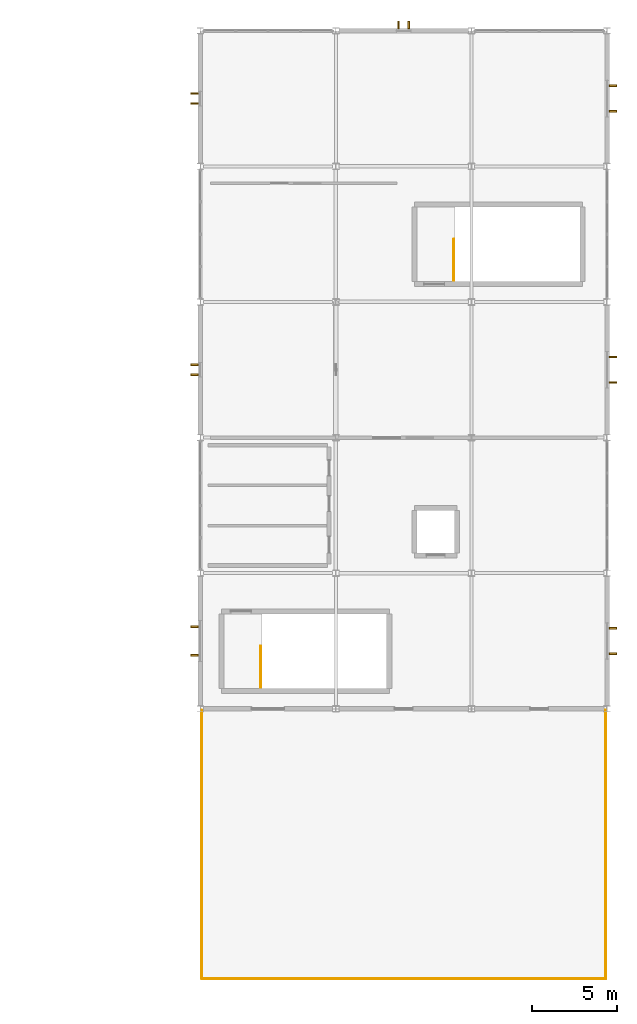
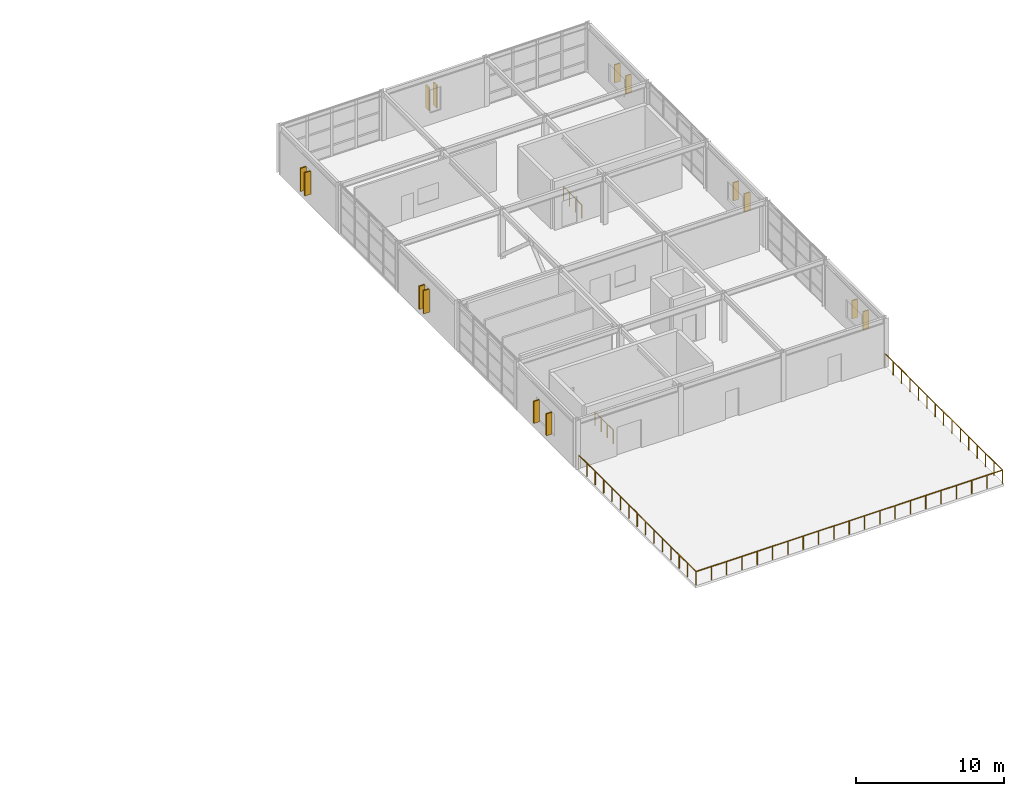
# One storey, part 34 of 34: 14 shading devices, 5 railings.
"""IFC4 building model written with IfcOpenShell, lengths in metres."""

from ifc_helpers import new_model, si_unit, direction, frame, origin, origin_2d, place, context, subcontext, project, spatial, rectangle, circle, extrude, material, type_object, element, save


model = new_model("IFC4")

# Units and contexts
model_context = context("Model", 3, precision=1e-05, world=origin(), true_north=direction((0.0, 1.0)))
body_context = subcontext(model_context, "Body", "Model", "MODEL_VIEW")
ifc_project = project(units=[si_unit("LENGTHUNIT", "METRE"), si_unit("AREAUNIT", "SQUARE_METRE"), si_unit("VOLUMEUNIT", "CUBIC_METRE"), si_unit("PLANEANGLEUNIT", "RADIAN"), si_unit("MASSUNIT", "GRAM", prefix="KILO")], contexts=[model_context])

# Site, building, storey
site_placement = place(None, origin())
site = spatial("IfcSite", under=ifc_project, at=site_placement, CompositionType="ELEMENT")
building_placement = place(site_placement, origin())
building = spatial("IfcBuilding", under=site, at=building_placement, Name="Varnela Railside Interchange", CompositionType="ELEMENT")
storey_placement = place(building_placement, frame((0.0, 0.0, 19.60009765625)))
storey = spatial("IfcBuildingStorey", under=building, at=storey_placement, Name="L04", CompositionType="ELEMENT", Elevation=19.60009765625)

# Railings
ifc_material_1 = material(Name="Steel AR 350 (350 MPa)", Category="steel")
railing_type_1 = type_object("IfcRailingType", Name="Perimeter Terrace Guardrail GR-01", PredefinedType="GUARDRAIL", material=ifc_material_1)
railing_1_placement = place(storey_placement, frame((116.080078125, 38.080078125, 0.0)))
element("IfcRailing", 1, at=railing_1_placement, inside=storey, type_object=railing_type_1, Name="East Study Pavilion Library Terrace Guardrail (W) (RL-0424)", PredefinedType="GUARDRAIL", context=body_context, shape_type="SweptSolid", body=[
    extrude(circle(Radius=0.02392578125, at=origin_2d()), frame((0.0, 0.0, 1.09619140625), z_axis=(0.0, 1.0, 0.0), x_axis=(-1.0, 0.0, 0.0)), (0.0, 0.0, 1.0), 15.83984375),
    extrude(circle(Radius=0.02099609375, at=origin_2d()), origin(), (0.0, 0.0, 1.0), 1.072021484375),
    extrude(circle(Radius=0.02099609375, at=origin_2d()), frame((0.0, 1.13134765625, 0.0)), (0.0, 0.0, 1.0), 1.072021484375),
    extrude(circle(Radius=0.02099609375, at=origin_2d()), frame((0.0, 2.262939453125, 0.0)), (0.0, 0.0, 1.0), 1.072021484375),
    extrude(circle(Radius=0.02099609375, at=origin_2d()), frame((0.0, 3.394287109375, 0.0)), (0.0, 0.0, 1.0), 1.072021484375),
    extrude(circle(Radius=0.02099609375, at=origin_2d()), frame((0.0, 4.525634765625, 0.0)), (0.0, 0.0, 1.0), 1.072021484375),
    extrude(circle(Radius=0.02099609375, at=origin_2d()), frame((0.0, 5.656982421875, 0.0)), (0.0, 0.0, 1.0), 1.072021484375),
    extrude(circle(Radius=0.02099609375, at=origin_2d()), frame((0.0, 6.78857421875, 0.0)), (0.0, 0.0, 1.0), 1.072021484375),
    extrude(circle(Radius=0.02099609375, at=origin_2d()), frame((0.0, 7.919921875, 0.0)), (0.0, 0.0, 1.0), 1.072021484375),
    extrude(circle(Radius=0.02099609375, at=origin_2d()), frame((0.0, 9.05126953125, 0.0)), (0.0, 0.0, 1.0), 1.072021484375),
    extrude(circle(Radius=0.02099609375, at=origin_2d()), frame((0.0, 10.182861328125, 0.0)), (0.0, 0.0, 1.0), 1.072021484375),
    extrude(circle(Radius=0.02099609375, at=origin_2d()), frame((0.0, 11.314208984375, 0.0)), (0.0, 0.0, 1.0), 1.072021484375),
    extrude(circle(Radius=0.02099609375, at=origin_2d()), frame((0.0, 12.445556640625, 0.0)), (0.0, 0.0, 1.0), 1.072021484375),
    extrude(circle(Radius=0.02099609375, at=origin_2d()), frame((0.0, 13.576904296875, 0.0)), (0.0, 0.0, 1.0), 1.072021484375),
    extrude(circle(Radius=0.02099609375, at=origin_2d()), frame((0.0, 14.70849609375, 0.0)), (0.0, 0.0, 1.0), 1.072021484375),
    extrude(circle(Radius=0.02099609375, at=origin_2d()), frame((0.0, 15.83984375, 0.0)), (0.0, 0.0, 1.0), 1.072021484375),
])
railing_2_placement = place(storey_placement, frame((116.080078125, 38.080078125, 0.0)))
element("IfcRailing", 2, at=railing_2_placement, inside=storey, type_object=railing_type_1, Name="East Study Pavilion Library Terrace Guardrail (S) (RL-0423)", PredefinedType="GUARDRAIL", context=body_context, shape_type="SweptSolid", body=[
    extrude(circle(Radius=0.02392578125, at=origin_2d()), frame((0.0, 0.0, 1.09619140625), z_axis=(1.0, 0.0, 0.0), x_axis=(0.0, 1.0, 0.0)), (0.0, 0.0, 1.0), 23.83984375),
    extrude(circle(Radius=0.02099609375, at=origin_2d()), origin(), (0.0, 0.0, 1.0), 1.072021484375),
    extrude(circle(Radius=0.02099609375, at=origin_2d()), frame((1.19189453125, 0.0, 0.0)), (0.0, 0.0, 1.0), 1.072021484375),
    extrude(circle(Radius=0.02099609375, at=origin_2d()), frame((2.384033203125, 0.0, 0.0)), (0.0, 0.0, 1.0), 1.072021484375),
    extrude(circle(Radius=0.02099609375, at=origin_2d()), frame((3.575927734375, 0.0, 0.0)), (0.0, 0.0, 1.0), 1.072021484375),
    extrude(circle(Radius=0.02099609375, at=origin_2d()), frame((4.76806640625, 0.0, 0.0)), (0.0, 0.0, 1.0), 1.072021484375),
    extrude(circle(Radius=0.02099609375, at=origin_2d()), frame((5.9599609375, 0.0, 0.0)), (0.0, 0.0, 1.0), 1.072021484375),
    extrude(circle(Radius=0.02099609375, at=origin_2d()), frame((7.15185546875, 0.0, 0.0)), (0.0, 0.0, 1.0), 1.072021484375),
    extrude(circle(Radius=0.02099609375, at=origin_2d()), frame((8.343994140625, 0.0, 0.0)), (0.0, 0.0, 1.0), 1.072021484375),
    extrude(circle(Radius=0.02099609375, at=origin_2d()), frame((9.535888671875, 0.0, 0.0)), (0.0, 0.0, 1.0), 1.072021484375),
    extrude(circle(Radius=0.02099609375, at=origin_2d()), frame((10.72802734375, 0.0, 0.0)), (0.0, 0.0, 1.0), 1.072021484375),
    extrude(circle(Radius=0.02099609375, at=origin_2d()), frame((11.919921875, 0.0, 0.0)), (0.0, 0.0, 1.0), 1.072021484375),
    extrude(circle(Radius=0.02099609375, at=origin_2d()), frame((13.11181640625, 0.0, 0.0)), (0.0, 0.0, 1.0), 1.072021484375),
    extrude(circle(Radius=0.02099609375, at=origin_2d()), frame((14.303955078125, 0.0, 0.0)), (0.0, 0.0, 1.0), 1.072021484375),
    extrude(circle(Radius=0.02099609375, at=origin_2d()), frame((15.495849609375, 0.0, 0.0)), (0.0, 0.0, 1.0), 1.072021484375),
    extrude(circle(Radius=0.02099609375, at=origin_2d()), frame((16.68798828125, 0.0, 0.0)), (0.0, 0.0, 1.0), 1.072021484375),
    extrude(circle(Radius=0.02099609375, at=origin_2d()), frame((17.8798828125, 0.0, 0.0)), (0.0, 0.0, 1.0), 1.072021484375),
    extrude(circle(Radius=0.02099609375, at=origin_2d()), frame((19.07177734375, 0.0, 0.0)), (0.0, 0.0, 1.0), 1.072021484375),
    extrude(circle(Radius=0.02099609375, at=origin_2d()), frame((20.263916015625, 0.0, 0.0)), (0.0, 0.0, 1.0), 1.072021484375),
    extrude(circle(Radius=0.02099609375, at=origin_2d()), frame((21.455810546875, 0.0, 0.0)), (0.0, 0.0, 1.0), 1.072021484375),
    extrude(circle(Radius=0.02099609375, at=origin_2d()), frame((22.64794921875, 0.0, 0.0)), (0.0, 0.0, 1.0), 1.072021484375),
    extrude(circle(Radius=0.02099609375, at=origin_2d()), frame((23.83984375, 0.0, 0.0)), (0.0, 0.0, 1.0), 1.072021484375),
])
railing_3_placement = place(storey_placement, frame((139.919921875, 38.080078125, 0.0)))
element("IfcRailing", 3, at=railing_3_placement, inside=storey, type_object=railing_type_1, Name="East Study Pavilion Library Terrace Guardrail (E) (RL-0422)", PredefinedType="GUARDRAIL", context=body_context, shape_type="SweptSolid", body=[
    extrude(circle(Radius=0.02392578125, at=origin_2d()), frame((0.0, 0.0, 1.09619140625), z_axis=(0.0, 1.0, 0.0), x_axis=(-1.0, 0.0, 0.0)), (0.0, 0.0, 1.0), 15.83984375),
    extrude(circle(Radius=0.02099609375, at=origin_2d()), origin(), (0.0, 0.0, 1.0), 1.072021484375),
    extrude(circle(Radius=0.02099609375, at=origin_2d()), frame((0.0, 1.13134765625, 0.0)), (0.0, 0.0, 1.0), 1.072021484375),
    extrude(circle(Radius=0.02099609375, at=origin_2d()), frame((0.0, 2.262939453125, 0.0)), (0.0, 0.0, 1.0), 1.072021484375),
    extrude(circle(Radius=0.02099609375, at=origin_2d()), frame((0.0, 3.394287109375, 0.0)), (0.0, 0.0, 1.0), 1.072021484375),
    extrude(circle(Radius=0.02099609375, at=origin_2d()), frame((0.0, 4.525634765625, 0.0)), (0.0, 0.0, 1.0), 1.072021484375),
    extrude(circle(Radius=0.02099609375, at=origin_2d()), frame((0.0, 5.656982421875, 0.0)), (0.0, 0.0, 1.0), 1.072021484375),
    extrude(circle(Radius=0.02099609375, at=origin_2d()), frame((0.0, 6.78857421875, 0.0)), (0.0, 0.0, 1.0), 1.072021484375),
    extrude(circle(Radius=0.02099609375, at=origin_2d()), frame((0.0, 7.919921875, 0.0)), (0.0, 0.0, 1.0), 1.072021484375),
    extrude(circle(Radius=0.02099609375, at=origin_2d()), frame((0.0, 9.05126953125, 0.0)), (0.0, 0.0, 1.0), 1.072021484375),
    extrude(circle(Radius=0.02099609375, at=origin_2d()), frame((0.0, 10.182861328125, 0.0)), (0.0, 0.0, 1.0), 1.072021484375),
    extrude(circle(Radius=0.02099609375, at=origin_2d()), frame((0.0, 11.314208984375, 0.0)), (0.0, 0.0, 1.0), 1.072021484375),
    extrude(circle(Radius=0.02099609375, at=origin_2d()), frame((0.0, 12.445556640625, 0.0)), (0.0, 0.0, 1.0), 1.072021484375),
    extrude(circle(Radius=0.02099609375, at=origin_2d()), frame((0.0, 13.576904296875, 0.0)), (0.0, 0.0, 1.0), 1.072021484375),
    extrude(circle(Radius=0.02099609375, at=origin_2d()), frame((0.0, 14.70849609375, 0.0)), (0.0, 0.0, 1.0), 1.072021484375),
    extrude(circle(Radius=0.02099609375, at=origin_2d()), frame((0.0, 15.83984375, 0.0)), (0.0, 0.0, 1.0), 1.072021484375),
])
railing_type_2 = type_object("IfcRailingType", Name="Stair Well & Landing Guard GR-02", PredefinedType="GUARDRAIL", material=ifc_material_1)
for number, where, name in (
    (4, (119.56005859375, 55.260009765625, 0.0), "Stair Well Arrival Guard ST-E1 on L04 (RL-0410)"),
    (5, (130.9599609375, 79.260009765625, 0.0), "Stair Well Arrival Guard ST-E2 on L04 (RL-0411)"),
):
    element("IfcRailing", number, at=place(storey_placement, frame(where)), inside=storey, type_object=railing_type_2, Name=name, PredefinedType="GUARDRAIL", context=body_context, shape_type="SweptSolid", body=[
        extrude(circle(Radius=0.02392578125, at=origin_2d()), frame((0.0, 0.0, 1.09619140625), z_axis=(0.0, 1.0, 0.0), x_axis=(-1.0, 0.0, 0.0)), (0.0, 0.0, 1.0), 2.43994140625),
        extrude(circle(Radius=0.02099609375, at=origin_2d()), origin(), (0.0, 0.0, 1.0), 1.072021484375),
        extrude(circle(Radius=0.02099609375, at=origin_2d()), frame((0.0, 0.813232421875, 0.0)), (0.0, 0.0, 1.0), 1.072021484375),
        extrude(circle(Radius=0.02099609375, at=origin_2d()), frame((0.0, 1.626708984375, 0.0)), (0.0, 0.0, 1.0), 1.072021484375),
        extrude(circle(Radius=0.02099609375, at=origin_2d()), frame((0.0, 2.43994140625, 0.0)), (0.0, 0.0, 1.0), 1.072021484375),
    ])

# Shading devices
ifc_material_2 = material(Name="Concrete C40 precast", Category="concrete")
shading_device_type = type_object("IfcShadingDeviceType", Name="Terracotta Vertical Sun Fin BS-02", PredefinedType="USERDEFINED", material=ifc_material_2)
for number, where, z_axis, x_axis, name in (
    (6, (140.35009765625, 90.75244140625, 0.949951171875), (0.0, 0.0, 1.0), (1.0, 0.0, 0.0), "Terracotta Vertical Sun Fin BS-02 (L04)"),
    (7, (140.35009765625, 89.24755859375, 0.949951171875), (0.0, 0.0, 1.0), (1.0, 0.0, 0.0), "Terracotta Vertical Sun Fin BS-02 (L04)"),
    (8, (140.35009765625, 74.75244140625, 0.949951171875), (0.0, 0.0, 1.0), (1.0, 0.0, 0.0), "Terracotta Vertical Sun Fin BS-02 (L04)"),
    (9, (140.35009765625, 73.24755859375, 0.949951171875), (0.0, 0.0, 1.0), (1.0, 0.0, 0.0), "Terracotta Vertical Sun Fin BS-02 (L04)"),
    (10, (140.35009765625, 58.75244140625, 0.949951171875), (0.0, 0.0, 1.0), (1.0, 0.0, 0.0), "Terracotta Vertical Sun Fin BS-02 (L04)"),
    (11, (140.35009765625, 57.24755859375, 0.949951171875), (0.0, 0.0, 1.0), (1.0, 0.0, 0.0), "Terracotta Vertical Sun Fin BS-02 (L04)"),
):
    element("IfcShadingDevice", number, at=place(storey_placement, frame(where, z_axis=z_axis, x_axis=x_axis)), inside=storey, type_object=shading_device_type, Name=name, ObjectType="FIN", PredefinedType="USERDEFINED", context=body_context, shape_type="SweptSolid", body=[
        extrude(rectangle(XDim=0.449951171875, YDim=0.10009765625, at=origin_2d()), origin(), (0.0, 0.0, 1.0), 1.5),
    ])
for number, where, z_axis, x_axis, name in (
    (12, (115.64990234375, 57.159912109375, 0.94970703125), (0.0, 0.0, 1.0), (-1.0, 0.0, 0.0), "Terracotta Vertical Sun Fin BS-02 (L04)"),
    (13, (115.64990234375, 58.840087890625, 0.94970703125), (0.0, 0.0, 1.0), (-1.0, 0.0, 0.0), "Terracotta Vertical Sun Fin BS-02 (L04)"),
):
    element("IfcShadingDevice", number, at=place(storey_placement, frame(where, z_axis=z_axis, x_axis=x_axis)), inside=storey, type_object=shading_device_type, Name=name, ObjectType="FIN", PredefinedType="USERDEFINED", context=body_context, shape_type="SweptSolid", body=[
        extrude(rectangle(XDim=0.449951171875, YDim=0.10009765625, at=origin_2d()), origin(), (0.0, 0.0, 1.0), 1.800048828125),
    ])
for number, where, z_axis, x_axis, name in (
    (14, (115.64990234375, 73.702392578125, 0.949951171875), (0.0, 0.0, 1.0), (-1.0, 0.0, 0.0), "Terracotta Vertical Sun Fin BS-02 (L04)"),
    (15, (115.64990234375, 74.297607421875, 0.949951171875), (0.0, 0.0, 1.0), (-1.0, 0.0, 0.0), "Terracotta Vertical Sun Fin BS-02 (L04)"),
    (16, (115.64990234375, 89.702392578125, 0.949951171875), (0.0, 0.0, 1.0), (-1.0, 0.0, 0.0), "Terracotta Vertical Sun Fin BS-02 (L04)"),
    (17, (115.64990234375, 90.297607421875, 0.949951171875), (0.0, 0.0, 1.0), (-1.0, 0.0, 0.0), "Terracotta Vertical Sun Fin BS-02 (L04)"),
    (18, (127.702392578125, 94.35009765625, 0.949951171875), (0.0, 0.0, 1.0), (0.0, 1.0, 0.0), "Terracotta Vertical Sun Fin BS-02 (L04)"),
    (19, (128.297607421875, 94.35009765625, 0.949951171875), (0.0, 0.0, 1.0), (0.0, 1.0, 0.0), "Terracotta Vertical Sun Fin BS-02 (L04)"),
):
    element("IfcShadingDevice", number, at=place(storey_placement, frame(where, z_axis=z_axis, x_axis=x_axis)), inside=storey, type_object=shading_device_type, Name=name, ObjectType="FIN", PredefinedType="USERDEFINED", context=body_context, shape_type="SweptSolid", body=[
        extrude(rectangle(XDim=0.449951171875, YDim=0.10009765625, at=origin_2d()), origin(), (0.0, 0.0, 1.0), 1.89990234375),
    ])

save(model, "model.ifc")
